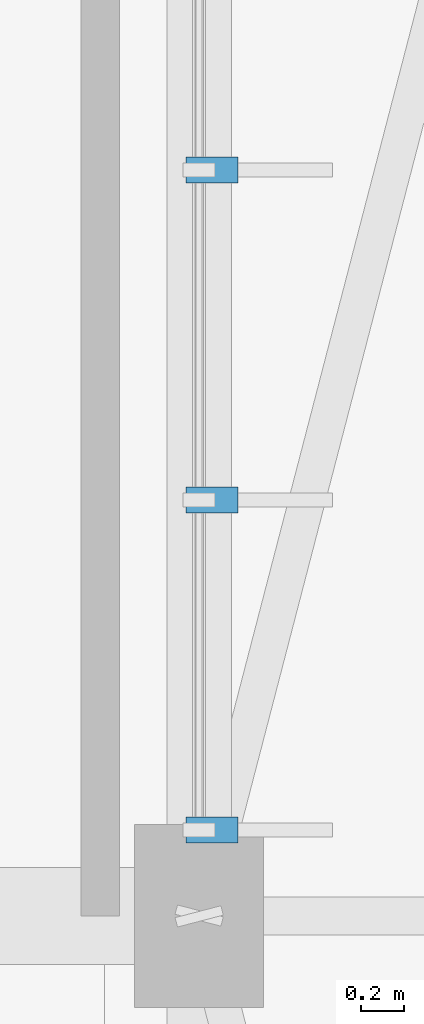
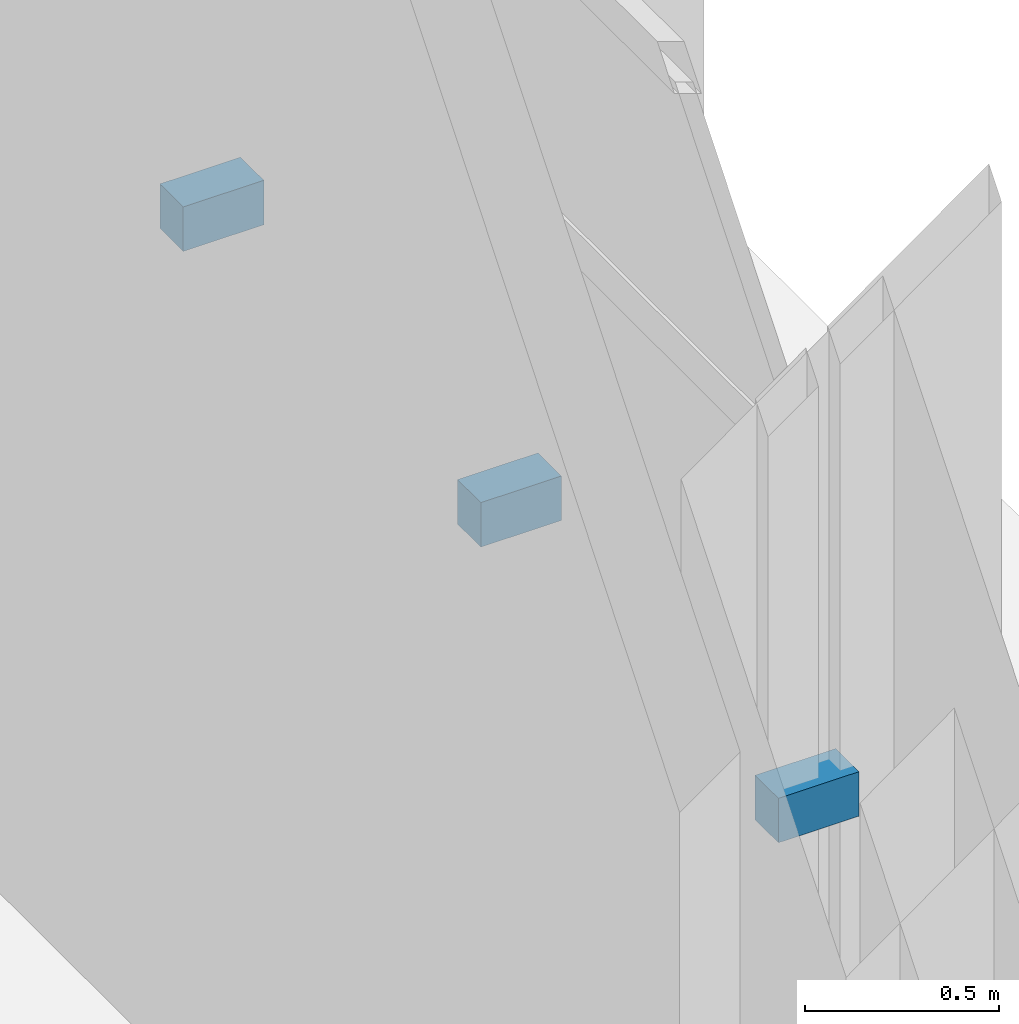
# One storey, part 144 of 179: 3 discrete accessories.
"""IFC4 building model written with IfcOpenShell, lengths in metres."""

from ifc_helpers import new_model, si_unit, direction, frame, origin, origin_2d, place, context, subcontext, project, spatial, rectangle, extrude, material, type_object, element, save


model = new_model("IFC4")

# Units and contexts
model_context = context("Model", 3, precision=1e-05, world=origin(), true_north=direction((0.0, 1.0)))
body_context = subcontext(model_context, "Body", "Model", "MODEL_VIEW")
ifc_project = project(units=[si_unit("LENGTHUNIT", "METRE"), si_unit("AREAUNIT", "SQUARE_METRE"), si_unit("VOLUMEUNIT", "CUBIC_METRE"), si_unit("PLANEANGLEUNIT", "RADIAN"), si_unit("MASSUNIT", "GRAM", prefix="KILO")], contexts=[model_context])

# Site, building, storey
site_placement = place(None, origin())
site = spatial("IfcSite", under=ifc_project, at=site_placement, CompositionType="ELEMENT")
building_placement = place(site_placement, origin())
building = spatial("IfcBuilding", under=site, at=building_placement, Name="Corvandel Quay Wholesale Market", CompositionType="ELEMENT")
storey_placement = place(building_placement, frame((0.0, 0.0, 6.0)))
storey = spatial("IfcBuildingStorey", under=building, at=storey_placement, Name="L01", CompositionType="ELEMENT", Elevation=6.0)

# Discrete accessories
ifc_material = material(Name="Austenitic stainless steel Grade 316", Category="steel")
discrete_accessory_type = type_object("IfcDiscreteAccessoryType", Name="Stainless Solar Fin Fixing Bracket BRK01", PredefinedType="USERDEFINED", material=ifc_material)
for number, where, z_axis, x_axis, name in (
    (1, (248.06005859375, 60.39990234375, 1.9052734375), (0.0, 0.0, 1.0), (1.0, 0.0, 0.0), "Fin Bracket 0819"),
    (2, (248.06005859375, 61.933349609375, 1.9052734375), (0.0, 0.0, 1.0), (1.0, 0.0, 0.0), "Fin Bracket 0820"),
    (3, (248.06005859375, 63.466796875, 1.9052734375), (0.0, 0.0, 1.0), (1.0, 0.0, 0.0), "Fin Bracket 0821"),
):
    element("IfcDiscreteAccessory", number, at=place(storey_placement, frame(where, z_axis=z_axis, x_axis=x_axis)), inside=storey, type_object=discrete_accessory_type, Name=name, ObjectType="BRACKET", PredefinedType="USERDEFINED", context=body_context, shape_type="SweptSolid", body=[
        extrude(rectangle(XDim=0.239990234375, YDim=0.1201171875, at=origin_2d()), origin(), (0.0, 0.0, 1.0), 0.139892578125),
    ])

save(model, "model.ifc")
